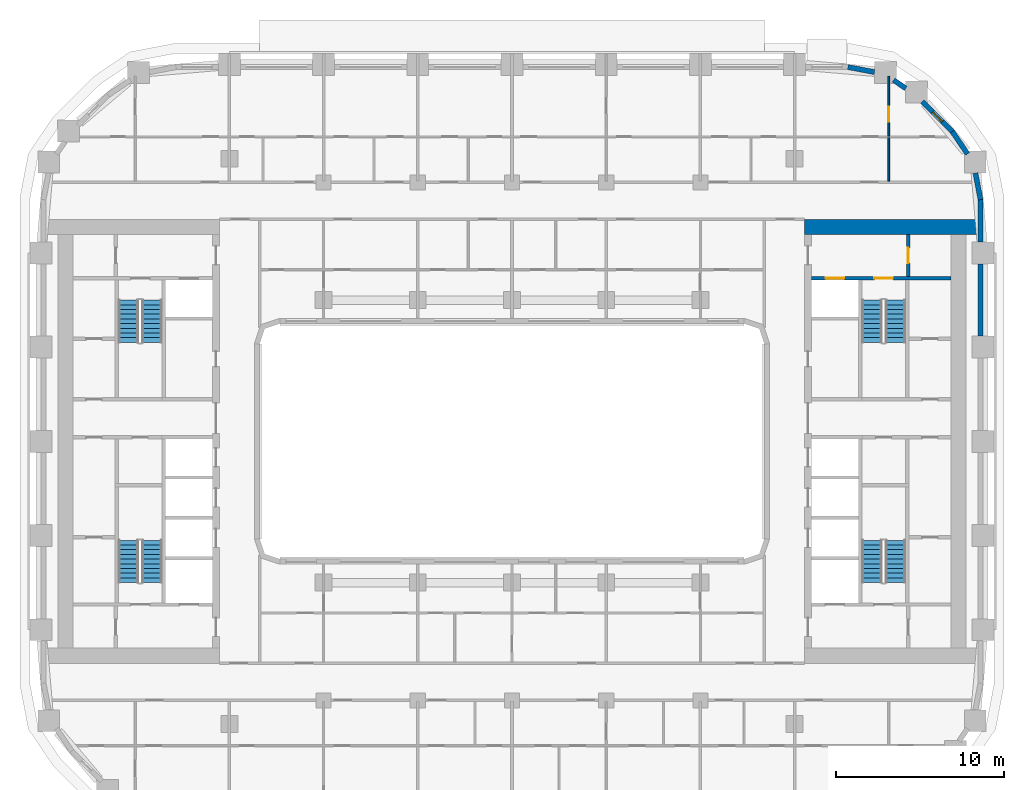
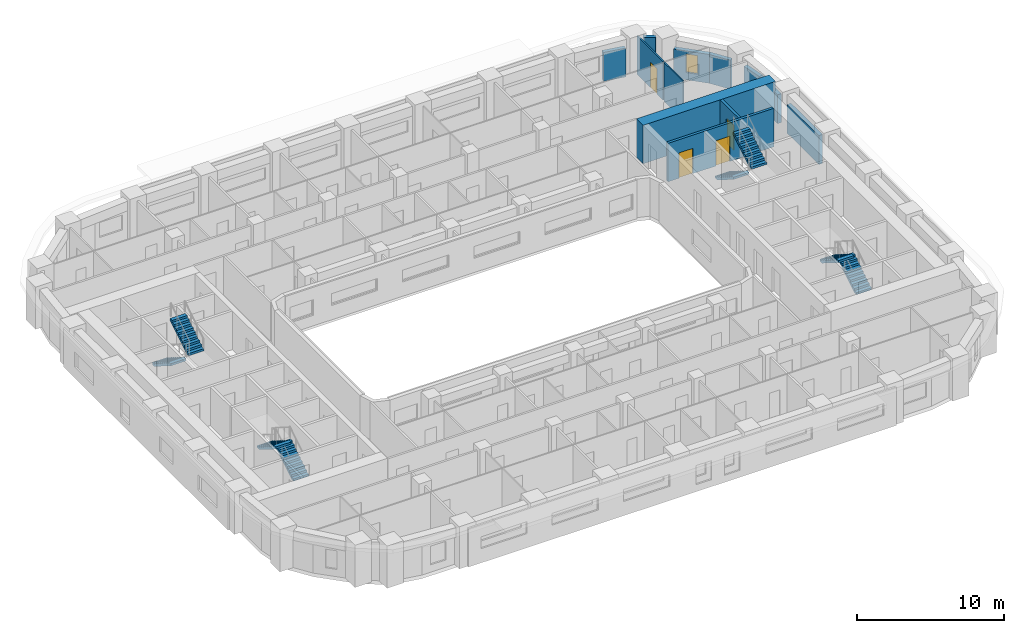
# One storey, part 10 of 21: 12 walls, 8 stair flights, 4 doors, 1 window, 5 openings, 4 elements without a shape of their own.
"""IFC4 building model written with IfcOpenShell, lengths in metres."""

from ifc_helpers import new_model, si_unit, direction, frame, frame_2d, origin, place, context, subcontext, project, spatial, polyline, rectangle, outline, extrude, material, layer, layer_set, type_object, element, fill, aggregate, save


model = new_model("IFC4")

# Units and contexts
model_context = context("Model", 3, precision=1e-05, world=origin(), true_north=direction((0.0, 1.0)))
body_context = subcontext(model_context, "Body", "Model", "MODEL_VIEW")
ifc_project = project(units=[si_unit("LENGTHUNIT", "METRE"), si_unit("AREAUNIT", "SQUARE_METRE"), si_unit("VOLUMEUNIT", "CUBIC_METRE"), si_unit("PLANEANGLEUNIT", "RADIAN"), si_unit("MASSUNIT", "GRAM", prefix="KILO")], contexts=[model_context])

# Site, building, storey
site_placement = place(None, origin())
site = spatial("IfcSite", under=ifc_project, at=site_placement, CompositionType="ELEMENT")
building_placement = place(site_placement, origin())
building = spatial("IfcBuilding", under=site, at=building_placement, Name="Kiln Ring Residences", CompositionType="ELEMENT")
storey_placement = place(building_placement, frame((0.0, 0.0, 100.800048828125)))
storey = spatial("IfcBuildingStorey", under=building, at=storey_placement, Name="L25", CompositionType="ELEMENT", Elevation=100.800048828125)

# Wall, opening, door
ifc_material_1 = material(Name="Gypsum board on steel studs", Category="steel")
ifc_layer_1 = layer(ifc_material_1, 0.199951171875)
ifc_layer_set_1 = layer_set([ifc_layer_1], Name="CORE-PARTITION-200")
wall_type_1 = type_object("IfcWallType", Name="CORE-PARTITION-200", PredefinedType="PARTITIONING", material=ifc_layer_set_1)
wall_1_placement = place(storey_placement, frame((23.550048828125, 9.800048828125, 0.0), z_axis=(0.0, 0.0, 1.0), x_axis=(0.0, 1.0, 0.0)))
wall_1 = element("IfcWall", 1, at=wall_1_placement, inside=storey, type_object=wall_type_1, Name="Core partition east L25 3", PredefinedType="PARTITIONING", context=body_context, shape_type="SweptSolid", body=[
    extrude(rectangle(XDim=2.5, YDim=0.199951171875, at=frame_2d((1.25, 0.0))), origin(), (0.0, 0.0, 1.0), 3.199951171875),
])
opening_1_placement = place(wall_1_placement, frame((0.800048828125, 0.0, 0.0)))
opening_1 = element("IfcOpeningElement", 2, at=opening_1_placement, cuts=wall_1, Name="Opening L25-CE09", PredefinedType="OPENING", context=body_context, shape_type="SweptSolid", body=[
    extrude(rectangle(XDim=0.89990234375, YDim=2.10009765625, at=frame_2d((0.449951171875, 1.050048828125))), frame((0.0, 0.10986328125, 0.0), z_axis=(0.0, -1.0, 0.0), x_axis=(1.0, 0.0, 0.0)), (0.0, 0.0, 1.0), 0.219970703125),
])
ifc_material_2 = material(Name="Steel door leaf", Category="steel")
door_type_1 = type_object("IfcDoorType", Name="CORE-DOOR-ROOM", OperationType="SINGLE_SWING_LEFT", PredefinedType="DOOR", material=ifc_material_2)
door_1_placement = place(opening_1_placement, origin())
door_1 = element("IfcDoor", 3, at=door_1_placement, inside=storey, type_object=door_type_1, Name="Fire riser room L25-CE09", OperationType="SINGLE_SWING_RIGHT", OverallHeight=2.10009765625, OverallWidth=0.89990234375, PredefinedType="DOOR", context=body_context, shape_type="SweptSolid", body=[
    extrude(rectangle(XDim=0.89990234375, YDim=2.10009765625, at=frame_2d((0.449951171875, 1.050048828125))), frame((0.0, 0.02490234375, 0.0), z_axis=(0.0, -1.0, 0.0), x_axis=(1.0, 0.0, 0.0)), (0.0, 0.0, 1.0), 0.050048828125),
])
fill(opening_1, door_1)

# Wall, openings, doors
ifc_material_3 = material(Name="Concrete C40/50", Category="concrete")
ifc_layer_2 = layer(ifc_material_3, 0.199951171875)
ifc_layer_set_2 = layer_set([ifc_layer_2], Name="CORE-WALL-RC200")
wall_type_2 = type_object("IfcWallType", Name="CORE-WALL-RC200", PredefinedType="SHEAR", material=ifc_layer_set_2)
wall_2_placement = place(storey_placement, frame((17.800048828125, 9.699951171875, 0.0), z_axis=(0.0, 0.0, 1.0), x_axis=(1.0, 0.0, 0.0)))
wall_2 = element("IfcWall", 4, at=wall_2_placement, inside=storey, type_object=wall_type_2, Name="Core wall east L25 9", PredefinedType="SHEAR", context=body_context, shape_type="SweptSolid", body=[
    extrude(rectangle(XDim=8.300048828125, YDim=0.199951171875, at=frame_2d((4.14990234375, 0.0))), origin(), (0.0, 0.0, 1.0), 3.199951171875),
])
opening_2_placement = place(wall_2_placement, frame((0.85009765625, 0.0, 0.0)))
opening_2 = element("IfcOpeningElement", 5, at=opening_2_placement, cuts=wall_2, Name="Opening L25-CE06", PredefinedType="OPENING", context=body_context, shape_type="SweptSolid", body=[
    extrude(rectangle(XDim=1.10009765625, YDim=2.10009765625, at=frame_2d((0.550048828125, 1.050048828125))), frame((0.0, 0.10986328125, 0.0), z_axis=(0.0, -1.0, 0.0), x_axis=(1.0, 0.0, 0.0)), (0.0, 0.0, 1.0), 0.219970703125),
])
opening_3_placement = place(wall_2_placement, frame((3.75, 0.0, 0.0)))
opening_3 = element("IfcOpeningElement", 6, at=opening_3_placement, cuts=wall_2, Name="Opening L25-CE11", PredefinedType="OPENING", context=body_context, shape_type="SweptSolid", body=[
    extrude(rectangle(XDim=1.10009765625, YDim=2.10009765625, at=frame_2d((0.550048828125, 1.050048828125))), frame((0.0, 0.10986328125, 0.0), z_axis=(0.0, -1.0, 0.0), x_axis=(1.0, 0.0, 0.0)), (0.0, 0.0, 1.0), 0.219970703125),
])
ifc_material_4 = material(Name="Steel door leaf", Category="steel")
door_type_2 = type_object("IfcDoorType", Name="CORE-DOOR-LD", OperationType="DOUBLE_DOOR_SLIDING", PredefinedType="DOOR", material=ifc_material_4)
door_2_placement = place(opening_2_placement, origin())
door_2 = element("IfcDoor", 7, at=door_2_placement, inside=storey, type_object=door_type_2, Name="LD E-FF L25-CE06", OperationType="DOUBLE_DOOR_SLIDING", OverallHeight=2.10009765625, OverallWidth=1.10009765625, PredefinedType="DOOR", context=body_context, shape_type="SweptSolid", body=[
    extrude(rectangle(XDim=1.10009765625, YDim=2.10009765625, at=frame_2d((0.550048828125, 1.050048828125))), frame((0.0, 0.02490234375, 0.0), z_axis=(0.0, -1.0, 0.0), x_axis=(1.0, 0.0, 0.0)), (0.0, 0.0, 1.0), 0.050048828125),
])
fill(opening_2, door_2)
ifc_material_5 = material(Name="Steel door leaf", Category="steel")
door_type_3 = type_object("IfcDoorType", Name="CORE-DOOR-STAIR", OperationType="SINGLE_SWING_LEFT", PredefinedType="DOOR", material=ifc_material_5)
door_3_placement = place(opening_3_placement, origin())
door_3 = element("IfcDoor", 8, at=door_3_placement, inside=storey, type_object=door_type_3, Name="Stair E-STN L25-CE11", OperationType="SINGLE_SWING_RIGHT", OverallHeight=2.10009765625, OverallWidth=1.10009765625, PredefinedType="DOOR", context=body_context, shape_type="SweptSolid", body=[
    extrude(rectangle(XDim=1.10009765625, YDim=2.10009765625, at=frame_2d((0.550048828125, 1.050048828125))), frame((0.0, 0.02490234375, 0.0), z_axis=(0.0, -1.0, 0.0), x_axis=(1.0, 0.0, 0.0)), (0.0, 0.0, 1.0), 0.050048828125),
])
fill(opening_3, door_3)

# Walls
ifc_material_6 = material(Name="Concrete C60/75", Category="concrete")
ifc_layer_3 = layer(ifc_material_6, 0.89990234375)
ifc_layer_set_3 = layer_set([ifc_layer_3], Name="CORE-WALL-RC900")
wall_type_3 = type_object("IfcWallType", Name="CORE-WALL-RC900", PredefinedType="SHEAR", material=ifc_layer_set_3)
wall_3_placement = place(storey_placement, frame((17.39990234375, 12.75, 0.0), z_axis=(0.0, 0.0, 1.0), x_axis=(1.0, 0.0, 0.0)))
element("IfcWall", 9, at=wall_3_placement, inside=storey, type_object=wall_type_3, Name="Core wall east L25 4", PredefinedType="SHEAR", context=body_context, shape_type="SweptSolid", body=[
    extrude(rectangle(XDim=10.400146484375, YDim=0.89990234375, at=frame_2d((5.2001953125, 0.0))), origin(), (0.0, 0.0, 1.0), 3.199951171875),
])
ifc_material_7 = material(Name="Brick masonry, dark clay brick", Category="masonry")
ifc_layer_4 = layer(ifc_material_7, 0.300048828125)
ifc_layer_set_4 = layer_set([ifc_layer_4], Name="EW-300 BRICK WALL")
wall_type_4 = type_object("IfcWallType", Name="EW-300 BRICK WALL", PredefinedType="SOLIDWALL", material=ifc_layer_set_4)
wall_4_placement = place(storey_placement, frame((27.85009765625, 6.25, 0.0), z_axis=(0.0, 0.0, 1.0), x_axis=(0.0, 1.0, 0.0)))
element("IfcWall", 10, at=wall_4_placement, inside=storey, type_object=wall_type_4, Name="Facade wall L25 21", PredefinedType="SOLIDWALL", context=body_context, shape_type="SweptSolid", body=[
    extrude(rectangle(XDim=4.300048828125, YDim=0.300048828125, at=frame_2d((2.14990234375, 0.0))), origin(), (0.0, 0.0, 1.0), 2.39990234375),
])
wall_5_placement = place(storey_placement, frame((27.85009765625, 11.85009765625, 0.0), z_axis=(0.0, 0.0, 1.0), x_axis=(0.0, 1.0, 0.0)))
element("IfcWall", 11, at=wall_5_placement, inside=storey, type_object=wall_type_4, Name="Facade wall L25 22", PredefinedType="SOLIDWALL", context=body_context, shape_type="SweptSolid", body=[
    extrude(rectangle(XDim=2.5498046875, YDim=0.300048828125, at=frame_2d((1.27490234375, 0.0))), origin(), (0.0, 0.0, 1.0), 2.39990234375),
])
for number, where, z_axis, x_axis, name in (
    (12, (27.8525390625, 14.371826171875, 0.0), (0.0, 0.0, 1.0), (-0.187279751651, 0.982306619453, 0.0), "Facade wall L25 23"),
    (13, (27.08154296875, 17.08447265625, 0.0), (0.0, 0.0, 1.0), (-0.562010605531, 0.827130025613, 0.0), "Facade wall L25 24"),
):
    element("IfcWall", number, at=place(storey_placement, frame(where, z_axis=z_axis, x_axis=x_axis)), inside=storey, type_object=wall_type_4, Name=name, PredefinedType="SOLIDWALL", context=body_context, shape_type="SweptSolid", body=[
        extrude(rectangle(XDim=1.60595703125, YDim=0.300048828125, at=frame_2d((0.802978515625, 0.0))), origin(), (0.0, 0.0, 1.0), 2.39990234375),
    ])

# Wall, opening, window
wall_6_placement = place(storey_placement, frame((26.19677734375, 18.390869140625, 0.0), z_axis=(0.0, 0.0, 1.0), x_axis=(-0.707058908279, 0.707154650853, 0.0)))
wall_6 = element("IfcWall", 14, at=wall_6_placement, inside=storey, type_object=wall_type_4, Name="Facade wall L25 25", PredefinedType="SOLIDWALL", context=body_context, shape_type="SweptSolid", body=[
    extrude(rectangle(XDim=2.550048828125, YDim=0.300048828125, at=frame_2d((1.27490234375, 0.0))), origin(), (0.0, 0.0, 1.0), 2.39990234375),
])
opening_4_placement = place(wall_6_placement, frame((0.875, 0.0, 0.60009765625)))
opening_4 = element("IfcOpeningElement", 15, at=opening_4_placement, cuts=wall_6, Name="Opening W5", PredefinedType="OPENING", context=body_context, shape_type="SweptSolid", body=[
    extrude(rectangle(XDim=0.800048828125, YDim=1.550048828125, at=frame_2d((0.39990234375, 0.77490234375))), frame((0.0, 0.159912109375, 0.0), z_axis=(0.0, -1.0, 0.0), x_axis=(1.0, 0.0, 0.0)), (0.0, 0.0, 1.0), 0.320068359375),
])
ifc_material_8 = material(Name="Aluminium frame with double glazing", Category="aluminium")
window_type = type_object("IfcWindowType", Name="WINDOW 800 x 1550", PartitioningType="SINGLE_PANEL", PredefinedType="WINDOW", material=ifc_material_8)
window_placement = place(opening_4_placement, origin())
window = element("IfcWindow", 16, at=window_placement, inside=storey, type_object=window_type, Name="Window L25 12", OverallHeight=1.550048828125, OverallWidth=0.800048828125, PartitioningType="SINGLE_PANEL", PredefinedType="WINDOW", context=body_context, shape_type="SweptSolid", body=[
    extrude(rectangle(XDim=0.800048828125, YDim=1.550048828125, at=frame_2d((0.39990234375, 0.77490234375))), frame((0.0, 0.030029296875, 0.0), z_axis=(0.0, -1.0, 0.0), x_axis=(1.0, 0.0, 0.0)), (0.0, 0.0, 1.0), 0.06005859375),
])
fill(opening_4, window)

# Walls
wall_7_placement = place(storey_placement, frame((23.409912109375, 20.988525390625, 0.0), z_axis=(0.0, 0.0, 1.0), x_axis=(-0.827050703543, 0.562127328787, 0.0)))
element("IfcWall", 17, at=wall_7_placement, inside=storey, type_object=wall_type_4, Name="Facade wall L25 26", PredefinedType="SOLIDWALL", context=body_context, shape_type="SweptSolid", body=[
    extrude(rectangle(XDim=0.877197265625, YDim=0.300048828125, at=frame_2d((0.4384765625, 0.0))), origin(), (0.0, 0.0, 1.0), 3.199951171875),
])
wall_8_placement = place(storey_placement, frame((21.549560546875, 21.95166015625, 0.0), z_axis=(0.0, 0.0, 1.0), x_axis=(-0.982278644094, 0.187426426519, 0.0)))
element("IfcWall", 18, at=wall_8_placement, inside=storey, type_object=wall_type_4, Name="Facade wall L25 27", PredefinedType="SOLIDWALL", context=body_context, shape_type="SweptSolid", body=[
    extrude(rectangle(XDim=1.606201171875, YDim=0.300048828125, at=frame_2d((0.80322265625, 0.0))), origin(), (0.0, 0.0, 1.0), 2.39990234375),
])
ifc_material_9 = material(Name="Gypsum board on steel studs", Category="steel")
ifc_layer_5 = layer(ifc_material_9, 0.10009765625)
ifc_layer_set_5 = layer_set([ifc_layer_5], Name="PARTITION-100")
wall_type_5 = type_object("IfcWallType", Name="PARTITION-100", PredefinedType="PARTITIONING", material=ifc_layer_set_5)
wall_9_placement = place(storey_placement, frame((22.39990234375, 15.47509765625, 0.0), z_axis=(0.0, 0.0, 1.0), x_axis=(0.0, 1.0, 0.0)))
element("IfcWall", 19, at=wall_9_placement, inside=storey, type_object=wall_type_5, Name="Partition 078", PredefinedType="PARTITIONING", context=body_context, shape_type="SweptSolid", body=[
    extrude(rectangle(XDim=2.574951171875, YDim=0.10009765625, at=frame_2d((1.28759765625, 0.0))), origin(), (0.0, 0.0, 1.0), 3.199951171875),
])

# Wall, opening, door
wall_10_placement = place(storey_placement, frame((22.39990234375, 18.14990234375, 0.0), z_axis=(0.0, 0.0, 1.0), x_axis=(0.0, 1.0, 0.0)))
wall_10 = element("IfcWall", 20, at=wall_10_placement, inside=storey, type_object=wall_type_5, Name="Partition 079", PredefinedType="PARTITIONING", context=body_context, shape_type="SweptSolid", body=[
    extrude(rectangle(XDim=3.570068359375, YDim=0.10009765625, at=frame_2d((1.78515625, 0.0))), origin(), (0.0, 0.0, 1.0), 3.199951171875),
])
opening_5_placement = place(wall_10_placement, frame((0.85009765625, 0.0, 0.0)))
opening_5 = element("IfcOpeningElement", 21, at=opening_5_placement, cuts=wall_10, Name="Opening L25-D042", PredefinedType="OPENING", context=body_context, shape_type="SweptSolid", body=[
    extrude(rectangle(XDim=0.89990234375, YDim=2.10009765625, at=frame_2d((0.449951171875, 1.050048828125))), frame((0.0, 0.06005859375, 0.0), z_axis=(0.0, -1.0, 0.0), x_axis=(1.0, 0.0, 0.0)), (0.0, 0.0, 1.0), 0.1201171875),
])
ifc_material_10 = material(Name="Timber door leaf", Category="wood")
door_type_4 = type_object("IfcDoorType", Name="FLAT-DOOR-900-PL", OperationType="SINGLE_SWING_LEFT", PredefinedType="DOOR", material=ifc_material_10)
door_4_placement = place(opening_5_placement, origin())
door_4 = element("IfcDoor", 22, at=door_4_placement, inside=storey, type_object=door_type_4, Name="Door L25-D042", OperationType="SINGLE_SWING_LEFT", OverallHeight=2.10009765625, OverallWidth=0.89990234375, PredefinedType="DOOR", context=body_context, shape_type="SweptSolid", body=[
    extrude(rectangle(XDim=0.89990234375, YDim=2.10009765625, at=frame_2d((0.449951171875, 1.050048828125))), frame((0.0, 0.02490234375, 0.0), z_axis=(0.0, -1.0, 0.0), x_axis=(1.0, 0.0, 0.0)), (0.0, 0.0, 1.0), 0.050048828125),
])
fill(opening_5, door_4)

# Stair, stair flights
ifc_material_11 = material(Name="Concrete C40/50", Category="concrete")
stair_type = type_object("IfcStairType", Name="CORE-STAIR", PredefinedType="HALF_TURN_STAIR", material=ifc_material_11)
placement = place(storey_placement, origin())
stair_1 = element("IfcStair", 23, at=placement, inside=storey, type_object=stair_type, Name="L25 stair W-STN", PredefinedType="HALF_TURN_STAIR")
ifc_material_12 = material(Name="Concrete C40/50", Category="concrete")
stair_flight_type = type_object("IfcStairFlightType", Name="CORE-STAIR-FLIGHT", PredefinedType="STRAIGHT", material=ifc_material_12)
stair_flight_1_placement = place(storey_placement, frame((-22.800048828125, 8.39990234375, 0.0), z_axis=(0.0, 0.0, 1.0), x_axis=(0.0, -1.0, 0.0)))
stair_flight_1 = element("IfcStairFlight", 24, at=stair_flight_1_placement, type_object=stair_flight_type, Name="W-STN flight 1", NumberOfRisers=10, NumberOfTreads=9, PredefinedType="STRAIGHT", RiserHeight=0.175, TreadLength=0.28, context=body_context, shape_type="SweptSolid", body=[
    extrude(outline(polyline([(0.0, 0.0), (0.0, 0.175048828125), (0.280029296875, 0.175048828125), (0.280029296875, 0.35009765625), (0.56005859375, 0.35009765625), (0.56005859375, 0.52490234375), (0.840087890625, 0.52490234375), (0.840087890625, 0.699951171875), (1.1201171875, 0.699951171875), (1.1201171875, 0.875), (1.39990234375, 0.875), (1.39990234375, 1.050048828125), (1.679931640625, 1.050048828125), (1.679931640625, 1.22509765625), (1.9599609375, 1.22509765625), (1.9599609375, 1.39990234375), (2.239990234375, 1.39990234375), (2.239990234375, 1.574951171875), (2.52001953125, 1.574951171875), (2.52001953125, 1.75), (2.52001953125, 1.398193359375), (0.28271484375, 0.0), (0.0, 0.0)])), frame((0.0, 0.60009765625, 0.0), z_axis=(0.0, -1.0, 0.0), x_axis=(1.0, 0.0, 0.0)), (0.0, 0.0, 1.0), 1.199951171875),
])
stair_flight_2_placement = place(storey_placement, frame((-21.39990234375, 5.8798828125, 1.75), z_axis=(0.0, 0.0, 1.0), x_axis=(0.0, 1.0, 0.0)))
stair_flight_2 = element("IfcStairFlight", 25, at=stair_flight_2_placement, type_object=stair_flight_type, Name="W-STN flight 2", NumberOfRisers=10, NumberOfTreads=9, PredefinedType="STRAIGHT", RiserHeight=0.175, TreadLength=0.28, context=body_context, shape_type="SweptSolid", body=[
    extrude(outline(polyline([(0.0, 0.0), (0.0, 0.175048828125), (0.280029296875, 0.175048828125), (0.280029296875, 0.35009765625), (0.56005859375, 0.35009765625), (0.56005859375, 0.52490234375), (0.840087890625, 0.52490234375), (0.840087890625, 0.699951171875), (1.1201171875, 0.699951171875), (1.1201171875, 0.875), (1.39990234375, 0.875), (1.39990234375, 1.050048828125), (1.679931640625, 1.050048828125), (1.679931640625, 1.22509765625), (1.9599609375, 1.22509765625), (1.9599609375, 1.39990234375), (2.239990234375, 1.39990234375), (2.239990234375, 1.574951171875), (2.52001953125, 1.574951171875), (2.52001953125, 1.75), (2.52001953125, 1.398193359375), (0.28271484375, 0.0), (0.0, 0.0)])), frame((0.0, 0.60009765625, 0.0), z_axis=(0.0, -1.0, 0.0), x_axis=(1.0, 0.0, 0.0)), (0.0, 0.0, 1.0), 1.199951171875),
])
aggregate(stair_1, [stair_flight_1, stair_flight_2])

stair_2 = element("IfcStair", 26, at=placement, inside=storey, type_object=stair_type, Name="L25 stair W-STS", PredefinedType="HALF_TURN_STAIR")
stair_flight_3_placement = place(storey_placement, frame((-21.39990234375, -8.39990234375, 0.0), z_axis=(0.0, 0.0, 1.0), x_axis=(0.0, 1.0, 0.0)))
stair_flight_3 = element("IfcStairFlight", 27, at=stair_flight_3_placement, type_object=stair_flight_type, Name="W-STS flight 1", NumberOfRisers=10, NumberOfTreads=9, PredefinedType="STRAIGHT", RiserHeight=0.175, TreadLength=0.28, context=body_context, shape_type="SweptSolid", body=[
    extrude(outline(polyline([(0.0, 0.0), (0.0, 0.175048828125), (0.280029296875, 0.175048828125), (0.280029296875, 0.35009765625), (0.56005859375, 0.35009765625), (0.56005859375, 0.52490234375), (0.840087890625, 0.52490234375), (0.840087890625, 0.699951171875), (1.1201171875, 0.699951171875), (1.1201171875, 0.875), (1.39990234375, 0.875), (1.39990234375, 1.050048828125), (1.679931640625, 1.050048828125), (1.679931640625, 1.22509765625), (1.9599609375, 1.22509765625), (1.9599609375, 1.39990234375), (2.239990234375, 1.39990234375), (2.239990234375, 1.574951171875), (2.52001953125, 1.574951171875), (2.52001953125, 1.75), (2.52001953125, 1.398193359375), (0.28271484375, 0.0), (0.0, 0.0)])), frame((0.0, 0.60009765625, 0.0), z_axis=(0.0, -1.0, 0.0), x_axis=(1.0, 0.0, 0.0)), (0.0, 0.0, 1.0), 1.199951171875),
])
stair_flight_4_placement = place(storey_placement, frame((-22.800048828125, -5.8798828125, 1.75), z_axis=(0.0, 0.0, 1.0), x_axis=(0.0, -1.0, 0.0)))
stair_flight_4 = element("IfcStairFlight", 28, at=stair_flight_4_placement, type_object=stair_flight_type, Name="W-STS flight 2", NumberOfRisers=10, NumberOfTreads=9, PredefinedType="STRAIGHT", RiserHeight=0.175, TreadLength=0.28, context=body_context, shape_type="SweptSolid", body=[
    extrude(outline(polyline([(0.0, 0.0), (0.0, 0.175048828125), (0.280029296875, 0.175048828125), (0.280029296875, 0.35009765625), (0.56005859375, 0.35009765625), (0.56005859375, 0.52490234375), (0.840087890625, 0.52490234375), (0.840087890625, 0.699951171875), (1.1201171875, 0.699951171875), (1.1201171875, 0.875), (1.39990234375, 0.875), (1.39990234375, 1.050048828125), (1.679931640625, 1.050048828125), (1.679931640625, 1.22509765625), (1.9599609375, 1.22509765625), (1.9599609375, 1.39990234375), (2.239990234375, 1.39990234375), (2.239990234375, 1.574951171875), (2.52001953125, 1.574951171875), (2.52001953125, 1.75), (2.52001953125, 1.398193359375), (0.28271484375, 0.0), (0.0, 0.0)])), frame((0.0, 0.60009765625, 0.0), z_axis=(0.0, -1.0, 0.0), x_axis=(1.0, 0.0, 0.0)), (0.0, 0.0, 1.0), 1.199951171875),
])
aggregate(stair_2, [stair_flight_3, stair_flight_4])

stair_3 = element("IfcStair", 29, at=placement, inside=storey, type_object=stair_type, Name="L25 stair E-STN", PredefinedType="HALF_TURN_STAIR")
stair_flight_5_placement = place(storey_placement, frame((21.39990234375, 8.39990234375, 0.0), z_axis=(0.0, 0.0, 1.0), x_axis=(0.0, -1.0, 0.0)))
stair_flight_5 = element("IfcStairFlight", 30, at=stair_flight_5_placement, type_object=stair_flight_type, Name="E-STN flight 1", NumberOfRisers=10, NumberOfTreads=9, PredefinedType="STRAIGHT", RiserHeight=0.175, TreadLength=0.28, context=body_context, shape_type="SweptSolid", body=[
    extrude(outline(polyline([(0.0, 0.0), (0.0, 0.175048828125), (0.280029296875, 0.175048828125), (0.280029296875, 0.35009765625), (0.56005859375, 0.35009765625), (0.56005859375, 0.52490234375), (0.840087890625, 0.52490234375), (0.840087890625, 0.699951171875), (1.1201171875, 0.699951171875), (1.1201171875, 0.875), (1.39990234375, 0.875), (1.39990234375, 1.050048828125), (1.679931640625, 1.050048828125), (1.679931640625, 1.22509765625), (1.9599609375, 1.22509765625), (1.9599609375, 1.39990234375), (2.239990234375, 1.39990234375), (2.239990234375, 1.574951171875), (2.52001953125, 1.574951171875), (2.52001953125, 1.75), (2.52001953125, 1.398193359375), (0.28271484375, 0.0), (0.0, 0.0)])), frame((0.0, 0.60009765625, 0.0), z_axis=(0.0, -1.0, 0.0), x_axis=(1.0, 0.0, 0.0)), (0.0, 0.0, 1.0), 1.199951171875),
])
stair_flight_6_placement = place(storey_placement, frame((22.800048828125, 5.8798828125, 1.75), z_axis=(0.0, 0.0, 1.0), x_axis=(0.0, 1.0, 0.0)))
stair_flight_6 = element("IfcStairFlight", 31, at=stair_flight_6_placement, type_object=stair_flight_type, Name="E-STN flight 2", NumberOfRisers=10, NumberOfTreads=9, PredefinedType="STRAIGHT", RiserHeight=0.175, TreadLength=0.28, context=body_context, shape_type="SweptSolid", body=[
    extrude(outline(polyline([(0.0, 0.0), (0.0, 0.175048828125), (0.280029296875, 0.175048828125), (0.280029296875, 0.35009765625), (0.56005859375, 0.35009765625), (0.56005859375, 0.52490234375), (0.840087890625, 0.52490234375), (0.840087890625, 0.699951171875), (1.1201171875, 0.699951171875), (1.1201171875, 0.875), (1.39990234375, 0.875), (1.39990234375, 1.050048828125), (1.679931640625, 1.050048828125), (1.679931640625, 1.22509765625), (1.9599609375, 1.22509765625), (1.9599609375, 1.39990234375), (2.239990234375, 1.39990234375), (2.239990234375, 1.574951171875), (2.52001953125, 1.574951171875), (2.52001953125, 1.75), (2.52001953125, 1.398193359375), (0.28271484375, 0.0), (0.0, 0.0)])), frame((0.0, 0.60009765625, 0.0), z_axis=(0.0, -1.0, 0.0), x_axis=(1.0, 0.0, 0.0)), (0.0, 0.0, 1.0), 1.199951171875),
])
aggregate(stair_3, [stair_flight_5, stair_flight_6])

stair_4 = element("IfcStair", 32, at=placement, inside=storey, type_object=stair_type, Name="L25 stair E-STS", PredefinedType="HALF_TURN_STAIR")
stair_flight_7_placement = place(storey_placement, frame((22.800048828125, -8.39990234375, 0.0), z_axis=(0.0, 0.0, 1.0), x_axis=(0.0, 1.0, 0.0)))
stair_flight_7 = element("IfcStairFlight", 33, at=stair_flight_7_placement, type_object=stair_flight_type, Name="E-STS flight 1", NumberOfRisers=10, NumberOfTreads=9, PredefinedType="STRAIGHT", RiserHeight=0.175, TreadLength=0.28, context=body_context, shape_type="SweptSolid", body=[
    extrude(outline(polyline([(0.0, 0.0), (0.0, 0.175048828125), (0.280029296875, 0.175048828125), (0.280029296875, 0.35009765625), (0.56005859375, 0.35009765625), (0.56005859375, 0.52490234375), (0.840087890625, 0.52490234375), (0.840087890625, 0.699951171875), (1.1201171875, 0.699951171875), (1.1201171875, 0.875), (1.39990234375, 0.875), (1.39990234375, 1.050048828125), (1.679931640625, 1.050048828125), (1.679931640625, 1.22509765625), (1.9599609375, 1.22509765625), (1.9599609375, 1.39990234375), (2.239990234375, 1.39990234375), (2.239990234375, 1.574951171875), (2.52001953125, 1.574951171875), (2.52001953125, 1.75), (2.52001953125, 1.398193359375), (0.28271484375, 0.0), (0.0, 0.0)])), frame((0.0, 0.60009765625, 0.0), z_axis=(0.0, -1.0, 0.0), x_axis=(1.0, 0.0, 0.0)), (0.0, 0.0, 1.0), 1.199951171875),
])
stair_flight_8_placement = place(storey_placement, frame((21.39990234375, -5.8798828125, 1.75), z_axis=(0.0, 0.0, 1.0), x_axis=(0.0, -1.0, 0.0)))
stair_flight_8 = element("IfcStairFlight", 34, at=stair_flight_8_placement, type_object=stair_flight_type, Name="E-STS flight 2", NumberOfRisers=10, NumberOfTreads=9, PredefinedType="STRAIGHT", RiserHeight=0.175, TreadLength=0.28, context=body_context, shape_type="SweptSolid", body=[
    extrude(outline(polyline([(0.0, 0.0), (0.0, 0.175048828125), (0.280029296875, 0.175048828125), (0.280029296875, 0.35009765625), (0.56005859375, 0.35009765625), (0.56005859375, 0.52490234375), (0.840087890625, 0.52490234375), (0.840087890625, 0.699951171875), (1.1201171875, 0.699951171875), (1.1201171875, 0.875), (1.39990234375, 0.875), (1.39990234375, 1.050048828125), (1.679931640625, 1.050048828125), (1.679931640625, 1.22509765625), (1.9599609375, 1.22509765625), (1.9599609375, 1.39990234375), (2.239990234375, 1.39990234375), (2.239990234375, 1.574951171875), (2.52001953125, 1.574951171875), (2.52001953125, 1.75), (2.52001953125, 1.398193359375), (0.28271484375, 0.0), (0.0, 0.0)])), frame((0.0, 0.60009765625, 0.0), z_axis=(0.0, -1.0, 0.0), x_axis=(1.0, 0.0, 0.0)), (0.0, 0.0, 1.0), 1.199951171875),
])
aggregate(stair_4, [stair_flight_7, stair_flight_8])

save(model, "model.ifc")
